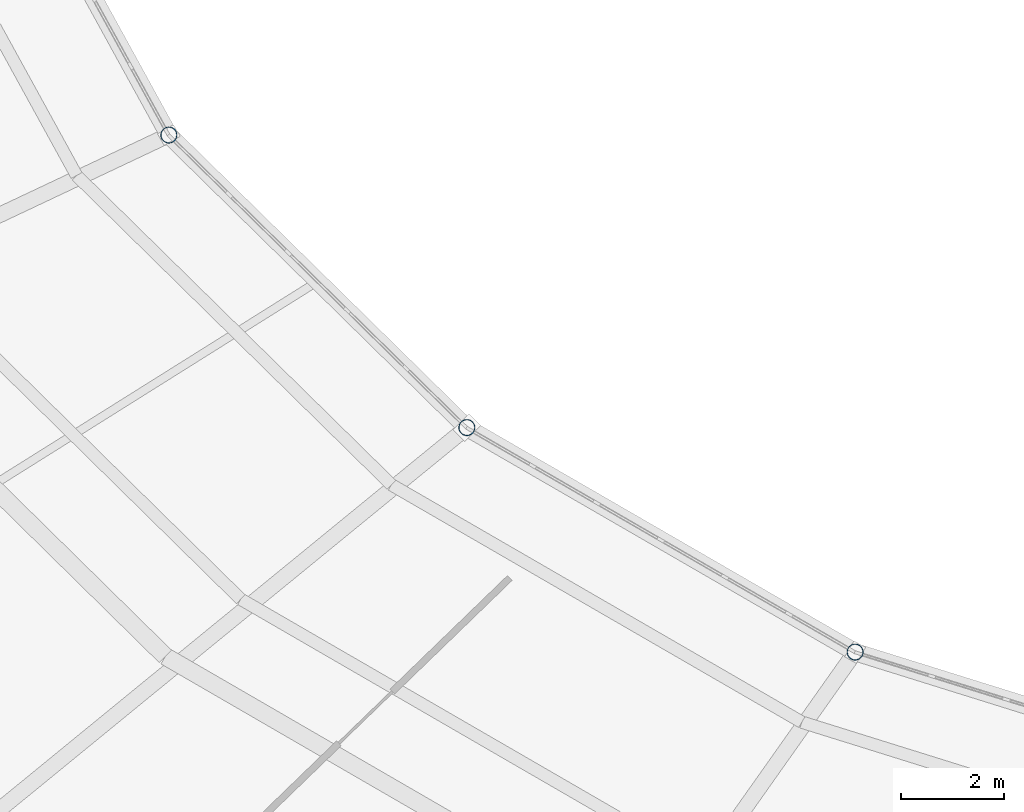
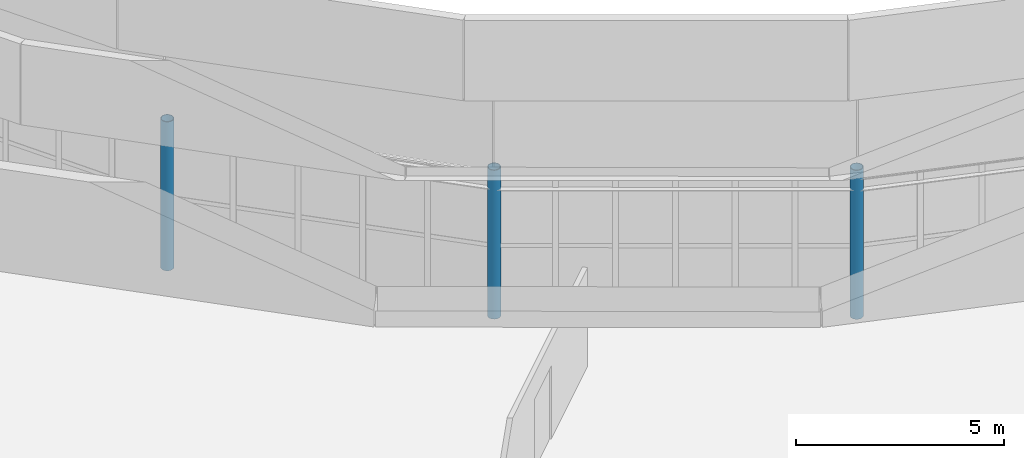
# One storey, part 11 of 123: 3 columns.
"""IFC4 building model written with IfcOpenShell, lengths in metres."""

from ifc_helpers import new_model, si_unit, direction, frame, origin, origin_2d, place, context, subcontext, project, spatial, hollow_circle, extrude, material, material_profile, profile_set, type_object, element, save


model = new_model("IFC4")

# Units and contexts
model_context = context("Model", 3, precision=1e-05, world=origin(), true_north=direction((0.0, 1.0)))
body_context = subcontext(model_context, "Body", "Model", "MODEL_VIEW")
ifc_project = project(units=[si_unit("LENGTHUNIT", "METRE"), si_unit("AREAUNIT", "SQUARE_METRE"), si_unit("VOLUMEUNIT", "CUBIC_METRE"), si_unit("PLANEANGLEUNIT", "RADIAN"), si_unit("MASSUNIT", "GRAM", prefix="KILO")], contexts=[model_context])

# Site, building, storey
site_placement = place(None, origin())
site = spatial("IfcSite", under=ifc_project, at=site_placement, CompositionType="ELEMENT")
building_placement = place(site_placement, origin())
building = spatial("IfcBuilding", under=site, at=building_placement, Name="Kildeholm Park Wholesale Market", CompositionType="ELEMENT")
storey_placement = place(building_placement, frame((0.0, 0.0, 9.60009765625)))
storey = spatial("IfcBuildingStorey", under=building, at=storey_placement, Name="L02", CompositionType="ELEMENT", Elevation=9.60009765625)

# Columns
ifc_material = material(Name="Steel S355", Category="steel")
ifc_material_profile = material_profile(ifc_material, hollow_circle(Radius=0.161865234375, WallThickness=0.01611328125, at=origin_2d()), Name="CHS 323.9x16")
ifc_profile_set = profile_set([ifc_material_profile], Name="Steel S355")
column_type = type_object("IfcColumnType", Name="Column C-S09 CHS 323.9x16", PredefinedType="COLUMN", material=ifc_profile_set)
for number, where, z_axis, x_axis, name in (
    (1, (67.389892578125, 75.75, 0.0), (0.0, 0.0, 1.0), (-0.866025403784, -0.5, 0.0), "Column V1-IN-14 L02 COL-0129"),
    (2, (73.19091796875, 70.054931640625, 0.0), (0.0, 0.0, 1.0), (-0.707106781187, -0.707106781187, 0.0), "Column V1-IN-15 L02 COL-0138"),
    (3, (80.75, 65.68408203125, 0.0), (0.0, 0.0, 1.0), (-0.5, -0.866025403784, 0.0), "Column V1-IN-16 L02 COL-0147"),
):
    element("IfcColumn", number, at=place(storey_placement, frame(where, z_axis=z_axis, x_axis=x_axis)), inside=storey, type_object=column_type, Name=name, PredefinedType="COLUMN", context=body_context, shape_type="SweptSolid", body=[
        extrude(hollow_circle(Radius=0.161865234375, WallThickness=0.01611328125, at=origin_2d()), origin(), (0.0, 0.0, 1.0), 4.3798828125),
    ])

save(model, "model.ifc")
